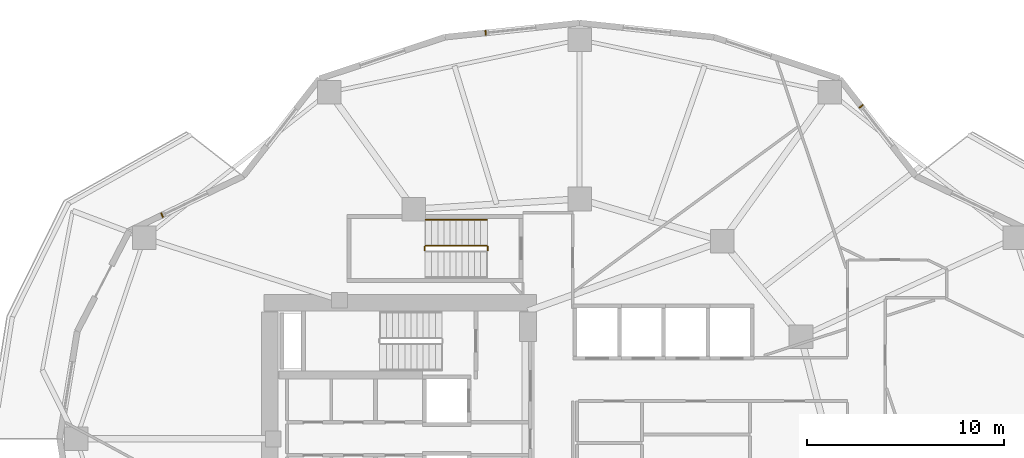
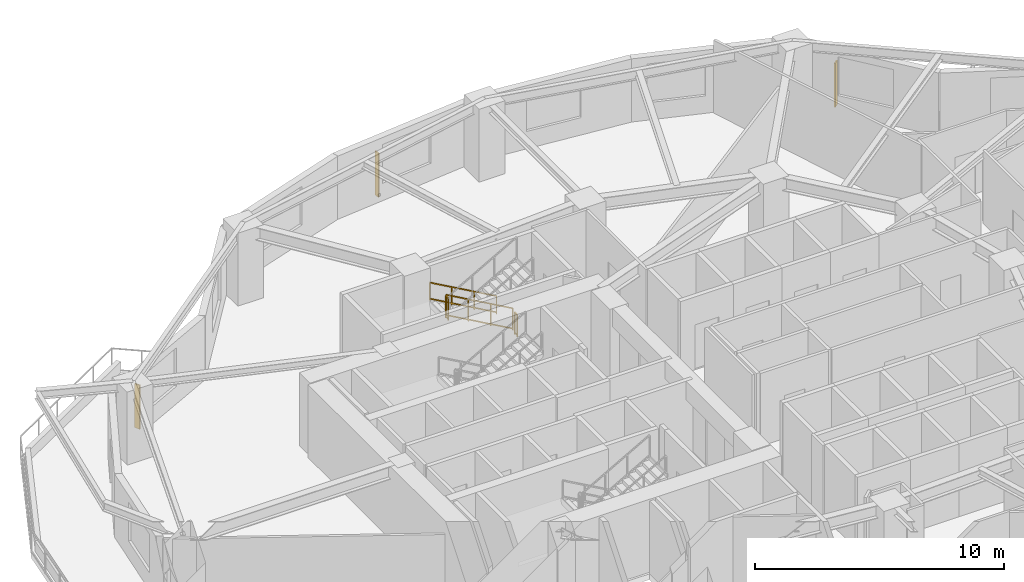
# One storey, part 11 of 11: 4 railings, 3 shading devices.
"""IFC4 building model written with IfcOpenShell, lengths in metres."""

from ifc_helpers import new_model, si_unit, direction, frame, origin, origin_2d, place, context, subcontext, project, spatial, rectangle, extrude, material, type_object, element, save


model = new_model("IFC4")

# Units and contexts
model_context = context("Model", 3, precision=1e-05, world=origin(), true_north=direction((0.0, 1.0)))
body_context = subcontext(model_context, "Body", "Model", "MODEL_VIEW")
ifc_project = project(units=[si_unit("LENGTHUNIT", "METRE"), si_unit("AREAUNIT", "SQUARE_METRE"), si_unit("VOLUMEUNIT", "CUBIC_METRE"), si_unit("PLANEANGLEUNIT", "RADIAN"), si_unit("MASSUNIT", "GRAM", prefix="KILO")], contexts=[model_context])

# Site, building, storey
site_placement = place(None, origin())
site = spatial("IfcSite", under=ifc_project, at=site_placement, CompositionType="ELEMENT")
building_placement = place(site_placement, origin())
building = spatial("IfcBuilding", under=site, at=building_placement, Name="Kolvaren Gate Tower and Convention Centre", CompositionType="ELEMENT")
storey_placement = place(building_placement, frame((0.0, 0.0, 88.10009765625)))
storey = spatial("IfcBuildingStorey", under=building, at=storey_placement, Name="L21", CompositionType="ELEMENT", Elevation=88.10009765625)

# Railings
ifc_material_1 = material(Name="Brushed Stainless Steel Grade 316L", Category="steel")
railing_type_1 = type_object("IfcRailingType", Name="ARCH-RL-GUARD-1150", PredefinedType="GUARDRAIL", material=ifc_material_1)
railing_1_placement = place(storey_placement, frame((25.39990234375, 36.830078125, 0.1748046875)))
element("IfcRailing", 1, at=railing_1_placement, inside=storey, type_object=railing_type_1, Name="L21 ST-T3 stair guard 1", PredefinedType="GUARDRAIL", context=body_context, shape_type="SweptSolid", body=[
    extrude(rectangle(XDim=0.048095703125, YDim=0.048095703125, at=origin_2d()), frame((0.0, 0.0, 1.076171875), z_axis=(-0.870814364268, 0.0, 0.491611984175), x_axis=(0.0, -1.0, 0.0)), (0.0, 0.0, 1.0), 3.559814453125),
    extrude(rectangle(XDim=0.048095703125, YDim=0.048095703125, at=origin_2d()), frame((0.0, 0.0, 0.083984375), z_axis=(-0.870814364268, 0.0, 0.491611984175), x_axis=(0.0, -1.0, 0.0)), (0.0, 0.0, 1.0), 3.559814453125),
    extrude(rectangle(XDim=0.0419921875, YDim=0.0419921875, at=origin_2d()), origin(), (0.0, 0.0, 1.0), 1.050048828125),
    extrude(rectangle(XDim=0.0419921875, YDim=0.0419921875, at=origin_2d()), frame((-3.099853515625, 0.0, 1.75)), (0.0, 0.0, 1.0), 1.050048828125),
    extrude(rectangle(XDim=0.0419921875, YDim=0.0419921875, at=origin_2d()), frame((-1.033203125, 0.0, 0.583251953125)), (0.0, 0.0, 1.0), 1.050048828125),
    extrude(rectangle(XDim=0.0419921875, YDim=0.0419921875, at=origin_2d()), frame((-2.066650390625, 0.0, 1.166748046875)), (0.0, 0.0, 1.0), 1.050048828125),
])
for number, where, name in (
    (2, (22.25, 36.780029296875, 1.9248046875), "L21 ST-T3 stair guard 2"),
    (3, (25.449951171875, 36.780029296875, 0.0), "L21 ST-T3 stair guard 4"),
):
    element("IfcRailing", number, at=place(storey_placement, frame(where)), inside=storey, type_object=railing_type_1, Name=name, PredefinedType="GUARDRAIL", context=body_context, shape_type="SweptSolid", body=[
        extrude(rectangle(XDim=0.048095703125, YDim=0.048095703125, at=origin_2d()), frame((0.0, 0.0, 1.076171875), z_axis=(0.0, -1.0, 0.0), x_axis=(1.0, 0.0, 0.0)), (0.0, 0.0, 1.0), 0.199951171875),
        extrude(rectangle(XDim=0.048095703125, YDim=0.048095703125, at=origin_2d()), frame((0.0, 0.0, 0.083984375), z_axis=(0.0, -1.0, 0.0), x_axis=(1.0, 0.0, 0.0)), (0.0, 0.0, 1.0), 0.199951171875),
        extrude(rectangle(XDim=0.0419921875, YDim=0.0419921875, at=origin_2d()), origin(), (0.0, 0.0, 1.0), 1.050048828125),
        extrude(rectangle(XDim=0.0419921875, YDim=0.0419921875, at=origin_2d()), frame((0.0, -0.199951171875, 0.0)), (0.0, 0.0, 1.0), 1.050048828125),
    ])
railing_type_2 = type_object("IfcRailingType", Name="ARCH-RL-HANDRAIL-920", PredefinedType="HANDRAIL", material=ifc_material_1)
railing_2_placement = place(storey_placement, frame((25.39990234375, 38.14990234375, 0.1748046875)))
element("IfcRailing", 4, at=railing_2_placement, inside=storey, type_object=railing_type_2, Name="L21 ST-T3 stair handrail 1", PredefinedType="HANDRAIL", context=body_context, shape_type="SweptSolid", body=[
    extrude(rectangle(XDim=0.048095703125, YDim=0.048095703125, at=origin_2d()), frame((0.0, 0.0, 0.8759765625), z_axis=(-0.870814364268, 0.0, 0.491611984175), x_axis=(0.0, -1.0, 0.0)), (0.0, 0.0, 1.0), 3.559814453125),
    extrude(rectangle(XDim=0.048095703125, YDim=0.048095703125, at=origin_2d()), frame((0.0, 0.0, 0.083984375), z_axis=(-0.870814364268, 0.0, 0.491611984175), x_axis=(0.0, -1.0, 0.0)), (0.0, 0.0, 1.0), 3.559814453125),
    extrude(rectangle(XDim=0.0419921875, YDim=0.0419921875, at=origin_2d()), origin(), (0.0, 0.0, 1.0), 0.849853515625),
    extrude(rectangle(XDim=0.0419921875, YDim=0.0419921875, at=origin_2d()), frame((-3.099853515625, 0.0, 1.75)), (0.0, 0.0, 1.0), 0.849853515625),
    extrude(rectangle(XDim=0.0419921875, YDim=0.0419921875, at=origin_2d()), frame((-1.033203125, 0.0, 0.583251953125)), (0.0, 0.0, 1.0), 0.849853515625),
    extrude(rectangle(XDim=0.0419921875, YDim=0.0419921875, at=origin_2d()), frame((-2.066650390625, 0.0, 1.166748046875)), (0.0, 0.0, 1.0), 0.849853515625),
])

# Shading devices
ifc_material_2 = material(Name="Kiln-Fired Bogota Terracotta Ceramic Louvre Profile", Category="masonry")
shading_device_type = type_object("IfcShadingDeviceType", Name="ARCH-SHD-FIN-180", PredefinedType="JALOUSIE", material=ifc_material_2)
for number, where, z_axis, x_axis, name in (
    (5, (44.4453125, 43.9091796875, 0.219970703125), (0.0, 0.0, 1.0), (0.616431370541, -0.787408639407, 0.0), "Ceramic Vertical Brise-Soleil Fin FN-L21-03"),
    (6, (25.35107421875, 47.647216796875, 0.219970703125), (0.0, 0.0, 1.0), (0.994498884311, 0.104747167526, 0.0), "Ceramic Vertical Brise-Soleil Fin FN-L21-06"),
    (7, (8.901611328125, 38.37841796875, 0.219970703125), (0.0, 0.0, 1.0), (0.901357634097, 0.433075530889, 0.0), "Ceramic Vertical Brise-Soleil Fin FN-L21-09"),
):
    element("IfcShadingDevice", number, at=place(storey_placement, frame(where, z_axis=z_axis, x_axis=x_axis)), inside=storey, type_object=shading_device_type, Name=name, PredefinedType="JALOUSIE", context=body_context, shape_type="SweptSolid", body=[
        extrude(rectangle(XDim=0.06005859375, YDim=0.239990234375, at=origin_2d()), origin(), (0.0, 0.0, 1.0), 2.14990234375),
    ])

save(model, "model.ifc")
